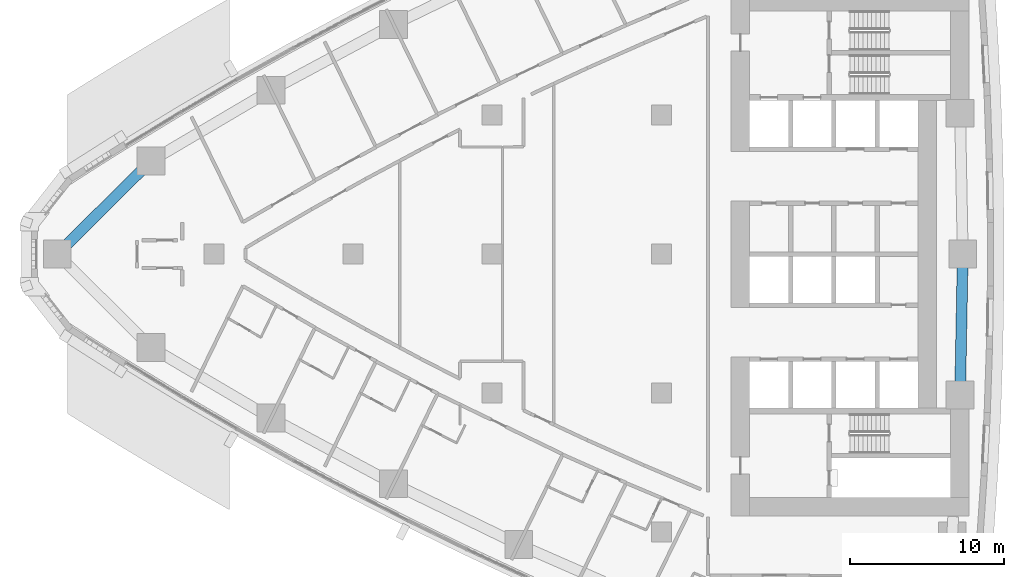
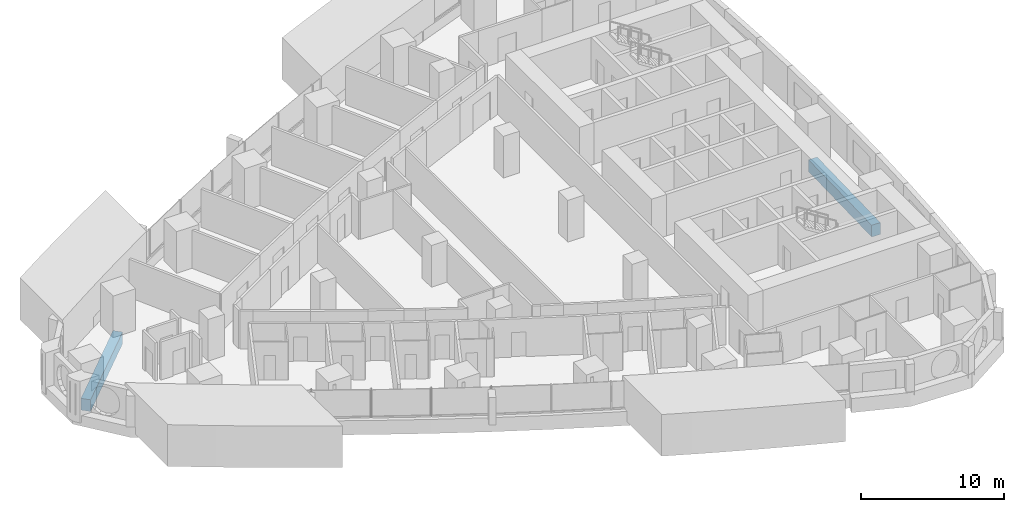
# One storey, part 4 of 19: 2 beams.
"""IFC4 building model written with IfcOpenShell, lengths in metres."""

from ifc_helpers import new_model, si_unit, direction, frame, origin, origin_2d, place, context, subcontext, project, spatial, rectangle, extrude, material, material_profile, profile_set, type_object, element, save


model = new_model("IFC4")

# Units and contexts
model_context = context("Model", 3, precision=1e-05, world=origin(), true_north=direction((0.0, 1.0)))
body_context = subcontext(model_context, "Body", "Model", "MODEL_VIEW")
ifc_project = project(units=[si_unit("LENGTHUNIT", "METRE"), si_unit("AREAUNIT", "SQUARE_METRE"), si_unit("VOLUMEUNIT", "CUBIC_METRE"), si_unit("PLANEANGLEUNIT", "RADIAN"), si_unit("MASSUNIT", "GRAM", prefix="KILO")], contexts=[model_context])

# Site, building, storey
site_placement = place(None, origin())
site = spatial("IfcSite", under=ifc_project, at=site_placement, CompositionType="ELEMENT")
building_placement = place(site_placement, origin())
building = spatial("IfcBuilding", under=site, at=building_placement, Name="Ostrand Prow Hotel Tower", CompositionType="ELEMENT")
storey_placement = place(building_placement, frame((0.0, 0.0, 46.699951171875)))
storey = spatial("IfcBuildingStorey", under=building, at=storey_placement, Name="L09", CompositionType="ELEMENT", Elevation=46.699951171875)

# Beams
ifc_material = material(Name="Concrete C80/95", Category="concrete")
ifc_material_profile = material_profile(ifc_material, rectangle(XDim=0.699951171875, YDim=1.0, at=origin_2d()), Name="RC 700x1000")
ifc_profile_set = profile_set([ifc_material_profile], Name="Concrete C80/95")
beam_type = type_object("IfcBeamType", Name="Edge beam 700x1000 C80/95", PredefinedType="SPANDREL", material=ifc_profile_set)
beam_1_placement = place(storey_placement, frame((64.328369140625, -9.130859375, -0.800048828125), z_axis=(0.018793471688, 0.999823387115, 0.0), x_axis=(-0.999823387115, 0.018793471688, 0.0)))
element("IfcBeam", 1, at=beam_1_placement, inside=storey, type_object=beam_type, Name="Edge beam B2-B3", PredefinedType="SPANDREL", context=body_context, shape_type="SweptSolid", body=[
    extrude(rectangle(XDim=0.699951171875, YDim=1.0, at=origin_2d()), origin(), (0.0, 0.0, 1.0), 9.132568359375),
])
beam_2_placement = place(storey_placement, frame((11.926513671875, 6.0419921875, -0.800048828125), z_axis=(-0.709211674915, -0.70499560294, 0.0), x_axis=(0.70499560294, -0.709211674915, 0.0)))
element("IfcBeam", 2, at=beam_2_placement, inside=storey, type_object=beam_type, Name="Edge beam N6-P", PredefinedType="SPANDREL", context=body_context, shape_type="SweptSolid", body=[
    extrude(rectangle(XDim=0.699951171875, YDim=1.0, at=origin_2d()), origin(), (0.0, 0.0, 1.0), 8.5703125),
])

save(model, "model.ifc")
